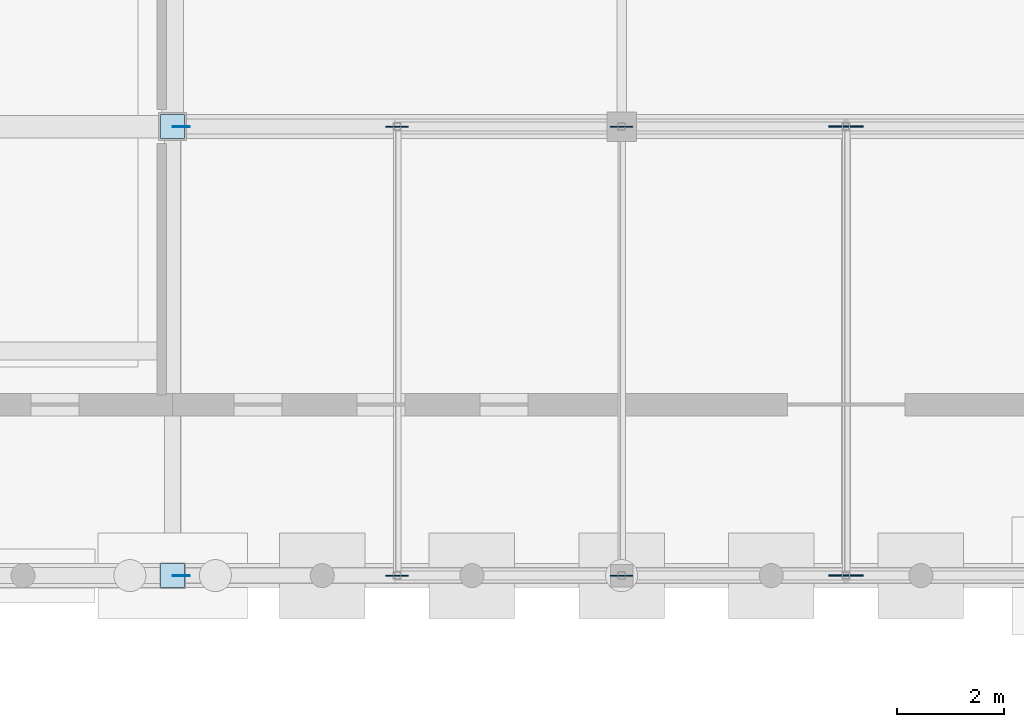
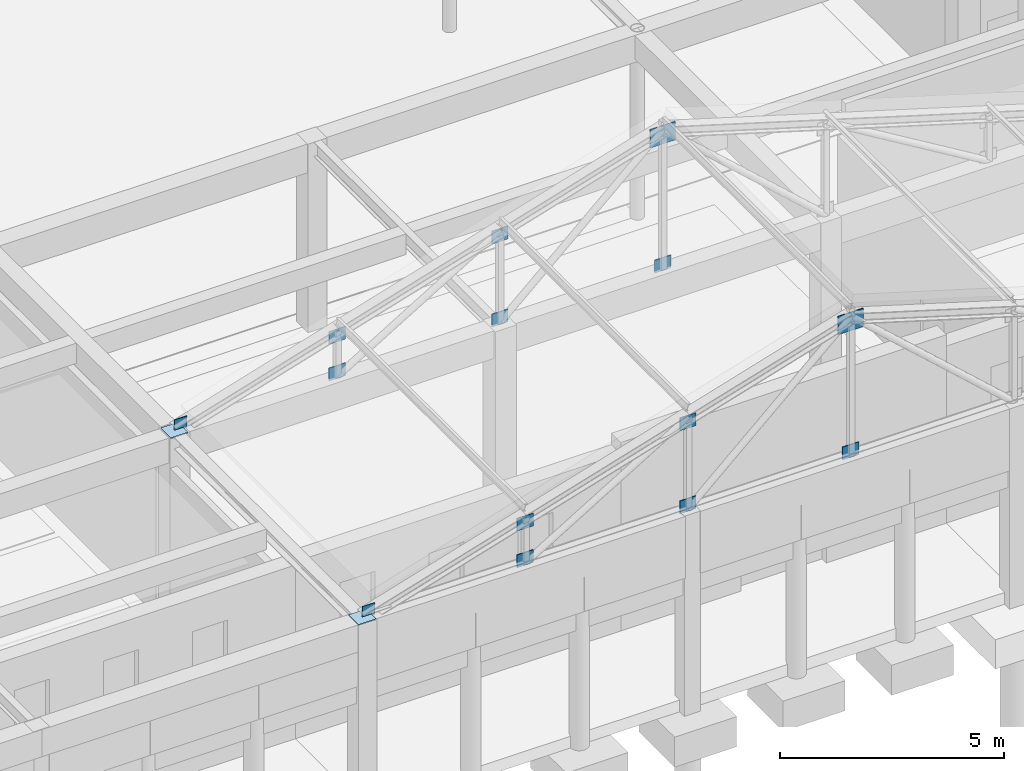
# One storey, part 81 of 143: 16 plates.
"""IFC4 building model written with IfcOpenShell, lengths in metres."""

from ifc_helpers import new_model, si_unit, direction, frame, origin, origin_2d, place, context, subcontext, project, spatial, rectangle, extrude, material, layer, layer_set, type_object, element, save


model = new_model("IFC4")

# Units and contexts
model_context = context("Model", 3, precision=1e-05, world=origin(), true_north=direction((0.0, 1.0)))
body_context = subcontext(model_context, "Body", "Model", "MODEL_VIEW")
ifc_project = project(units=[si_unit("LENGTHUNIT", "METRE"), si_unit("AREAUNIT", "SQUARE_METRE"), si_unit("VOLUMEUNIT", "CUBIC_METRE"), si_unit("PLANEANGLEUNIT", "RADIAN"), si_unit("MASSUNIT", "GRAM", prefix="KILO")], contexts=[model_context])

# Site, building, storey
site_placement = place(None, origin())
site = spatial("IfcSite", under=ifc_project, at=site_placement, CompositionType="ELEMENT")
building_placement = place(site_placement, origin())
building = spatial("IfcBuilding", under=site, at=building_placement, Name="Kveldsbrygga Polytechnic", CompositionType="ELEMENT")
storey_placement = place(building_placement, origin())
storey = spatial("IfcBuildingStorey", under=building, at=storey_placement, Name="L00", CompositionType="ELEMENT", Elevation=0.0)

# Plates
ifc_material = material(Name="Steel S355", Category="steel")
ifc_layer_1 = layer(ifc_material, 0.030029296875)
ifc_layer_set_1 = layer_set([ifc_layer_1], Name="Steel S355")
plate_type_1 = type_object("IfcPlateType", Name="CAP-BEAR-450", PredefinedType="SHEET", material=ifc_layer_set_1)
for number, where, z_axis, x_axis, name in (
    (1, (50.39990234375, 0.0, 5.10986328125), (0.0, 0.0, 1.0), (1.0, 0.0, 0.0), "Truss Bearing Plate V5P-T01-A"),
    (2, (50.39990234375, 8.39990234375, 5.10986328125), (0.0, 0.0, 1.0), (1.0, 0.0, 0.0), "Truss Bearing Plate V5P-T02-A"),
):
    element("IfcPlate", number, at=place(storey_placement, frame(where, z_axis=z_axis, x_axis=x_axis)), inside=storey, type_object=plate_type_1, Name=name, PredefinedType="SHEET", context=body_context, shape_type="SweptSolid", body=[
        extrude(rectangle(XDim=0.449951171875, YDim=0.449951171875, at=origin_2d()), origin(), (0.0, 0.0, 1.0), 0.030029296875),
    ])
ifc_layer_2 = layer(ifc_material, 0.02490234375)
ifc_layer_set_2 = layer_set([ifc_layer_2], Name="Steel S355")
plate_type_2 = type_object("IfcPlateType", Name="GUS-APEX-650", PredefinedType="SHEET", material=ifc_layer_set_2)
for number, where, z_axis, x_axis, name in (
    (3, (63.0, 0.0, 8.5400390625), (0.0, 0.0, 1.0), (1.0, 0.0, 0.0), "Truss Gusset Plate V5P-T01-GP-3"),
    (4, (63.0, 8.39990234375, 8.5400390625), (0.0, 0.0, 1.0), (1.0, 0.0, 0.0), "Truss Gusset Plate V5P-T02-GP-3"),
):
    element("IfcPlate", number, at=place(storey_placement, frame(where, z_axis=z_axis, x_axis=x_axis)), inside=storey, type_object=plate_type_2, Name=name, PredefinedType="SHEET", context=body_context, shape_type="SweptSolid", body=[
        extrude(rectangle(XDim=0.64990234375, YDim=0.02490234375, at=origin_2d()), origin(), (0.0, 0.0, 1.0), 0.5),
    ])
ifc_layer_3 = layer(ifc_material, 0.01806640625)
ifc_layer_set_3 = layer_set([ifc_layer_3], Name="Steel S355")
plate_type_3 = type_object("IfcPlateType", Name="GUS-BRACE-320", PredefinedType="SHEET", material=ifc_layer_set_3)
for number, where, z_axis, x_axis, name in (
    (5, (50.56005859375, 0.0, 5.10009765625), (0.0, 0.0, 1.0), (1.0, 0.0, 0.0), "Truss Eaves Node Gusset V5P-T01-EGP-A"),
    (6, (50.56005859375, 8.39990234375, 5.10009765625), (0.0, 0.0, 1.0), (1.0, 0.0, 0.0), "Truss Eaves Node Gusset V5P-T02-EGP-A"),
):
    element("IfcPlate", number, at=place(storey_placement, frame(where, z_axis=z_axis, x_axis=x_axis)), inside=storey, type_object=plate_type_3, Name=name, PredefinedType="SHEET", context=body_context, shape_type="SweptSolid", body=[
        extrude(rectangle(XDim=0.320068359375, YDim=0.01806640625, at=origin_2d()), origin(), (0.0, 0.0, 1.0), 0.320068359375),
    ])
ifc_layer_4 = layer(ifc_material, 0.02001953125)
ifc_layer_set_4 = layer_set([ifc_layer_4], Name="Steel S355")
plate_type_4 = type_object("IfcPlateType", Name="GUS-LECT-420", PredefinedType="SHEET", material=ifc_layer_set_4)
for number, where, z_axis, x_axis, name in (
    (7, (54.60009765625, 0.0, 6.08154296875), (0.0, 0.0, 1.0), (1.0, 0.0, 0.0), "Truss Gusset Plate V5P-T01-GP-1"),
    (8, (54.60009765625, 0.0, 5.0849609375), (0.0, 0.0, 1.0), (1.0, 0.0, 0.0), "Truss Bottom-Chord Node Gusset V5P-T01-BGP-1"),
    (9, (58.800048828125, 0.0, 7.348388671875), (0.0, 0.0, 1.0), (1.0, 0.0, 0.0), "Truss Gusset Plate V5P-T01-GP-2"),
    (10, (58.800048828125, 0.0, 5.0849609375), (0.0, 0.0, 1.0), (1.0, 0.0, 0.0), "Truss Bottom-Chord Node Gusset V5P-T01-BGP-2"),
    (11, (63.0, 0.0, 5.0849609375), (0.0, 0.0, 1.0), (1.0, 0.0, 0.0), "Truss Bottom-Chord Node Gusset V5P-T01-BGP-3"),
    (12, (54.60009765625, 8.39990234375, 6.08154296875), (0.0, 0.0, 1.0), (1.0, 0.0, 0.0), "Truss Gusset Plate V5P-T02-GP-1"),
    (13, (54.60009765625, 8.39990234375, 5.0849609375), (0.0, 0.0, 1.0), (1.0, 0.0, 0.0), "Truss Bottom-Chord Node Gusset V5P-T02-BGP-1"),
    (14, (58.800048828125, 8.39990234375, 7.348388671875), (0.0, 0.0, 1.0), (1.0, 0.0, 0.0), "Truss Gusset Plate V5P-T02-GP-2"),
    (15, (58.800048828125, 8.39990234375, 5.0849609375), (0.0, 0.0, 1.0), (1.0, 0.0, 0.0), "Truss Bottom-Chord Node Gusset V5P-T02-BGP-2"),
    (16, (63.0, 8.39990234375, 5.0849609375), (0.0, 0.0, 1.0), (1.0, 0.0, 0.0), "Truss Bottom-Chord Node Gusset V5P-T02-BGP-3"),
):
    element("IfcPlate", number, at=place(storey_placement, frame(where, z_axis=z_axis, x_axis=x_axis)), inside=storey, type_object=plate_type_4, Name=name, PredefinedType="SHEET", context=body_context, shape_type="SweptSolid", body=[
        extrude(rectangle(XDim=0.419921875, YDim=0.02001953125, at=origin_2d()), origin(), (0.0, 0.0, 1.0), 0.35009765625),
    ])

save(model, "model.ifc")
